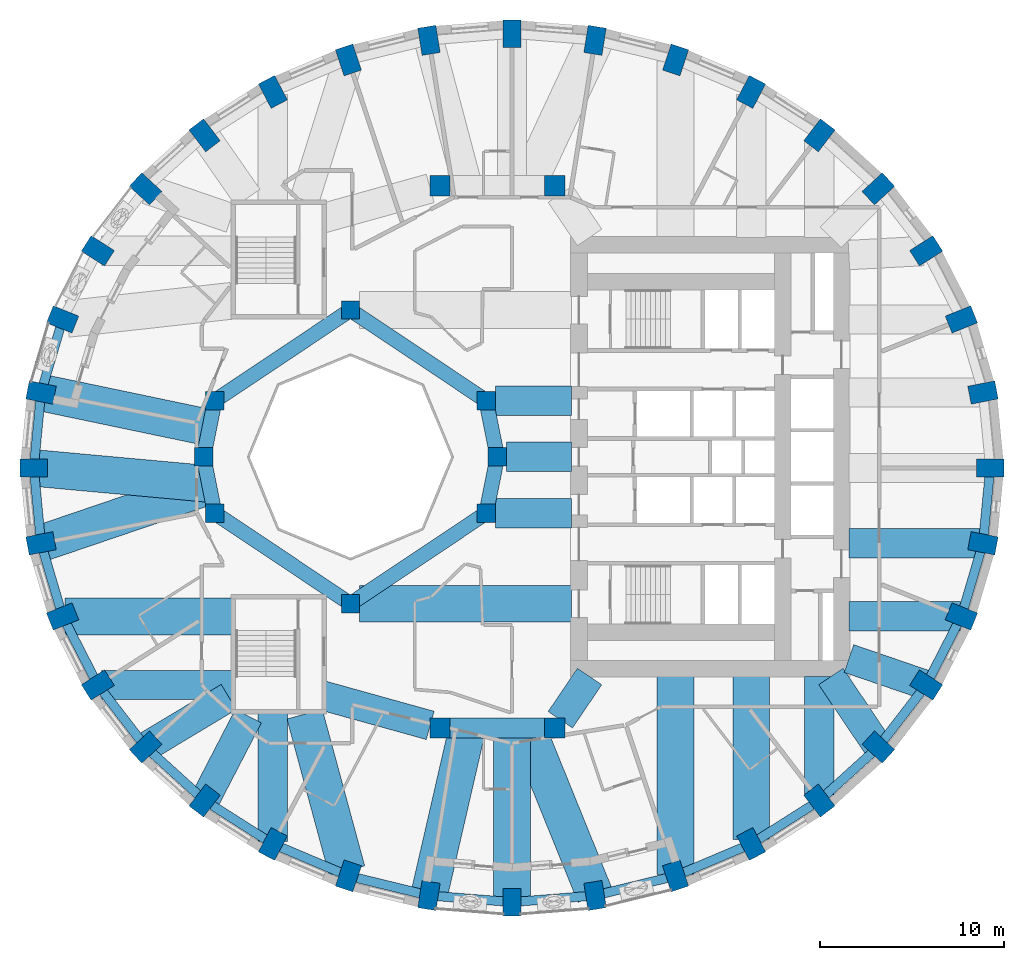
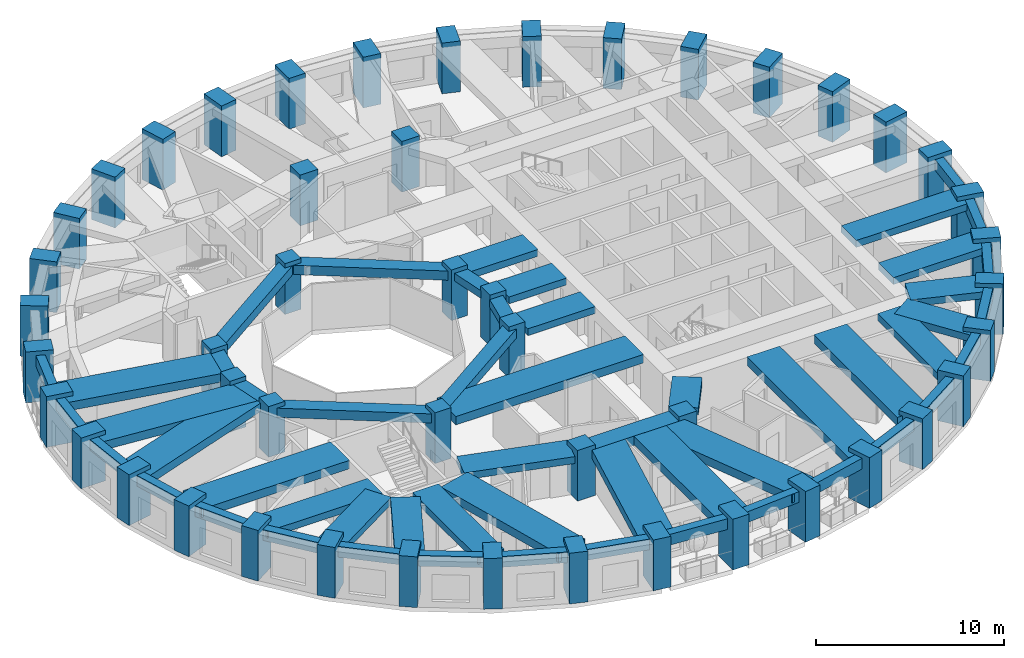
# One storey, part 1 of 13: 54 beams, 48 columns.
"""IFC4 building model written with IfcOpenShell, lengths in metres."""

from ifc_helpers import new_model, si_unit, direction, frame, origin, origin_2d, place, context, subcontext, project, spatial, rectangle, extrude, material, material_profile, profile_set, type_object, element, save


model = new_model("IFC4")

# Units and contexts
model_context = context("Model", 3, precision=1e-05, world=origin(), true_north=direction((0.0, 1.0)))
body_context = subcontext(model_context, "Body", "Model", "MODEL_VIEW")
ifc_project = project(units=[si_unit("LENGTHUNIT", "METRE"), si_unit("AREAUNIT", "SQUARE_METRE"), si_unit("VOLUMEUNIT", "CUBIC_METRE"), si_unit("PLANEANGLEUNIT", "RADIAN"), si_unit("MASSUNIT", "GRAM", prefix="KILO")], contexts=[model_context])

# Site, building, storey
site_placement = place(None, origin())
site = spatial("IfcSite", under=ifc_project, at=site_placement, CompositionType="ELEMENT")
building_placement = place(site_placement, origin())
building = spatial("IfcBuilding", under=site, at=building_placement, Name="Taillehof Tower", CompositionType="ELEMENT")
storey_placement = place(building_placement, frame((0.0, 0.0, 115.300048828125)))
storey = spatial("IfcBuildingStorey", under=building, at=storey_placement, Name="L32", CompositionType="ELEMENT", Elevation=115.300048828125)

# Columns
ifc_material_1 = material(Name="Concrete C50/60", Category="concrete")
ifc_material_profile_1 = material_profile(ifc_material_1, rectangle(XDim=1.0, YDim=1.0, at=origin_2d()), Name="RC 1000x1000")
ifc_profile_set_1 = profile_set([ifc_material_profile_1], Name="Concrete C50/60")
column_type_1 = type_object("IfcColumnType", Name="Atrium ring column C50/60 1000x1000", PredefinedType="COLUMN", material=ifc_profile_set_1)
for number, where, z_axis, x_axis, name in (
    (1, (0.0, 0.0, 0.0), (0.0, 0.0, 1.0), (1.0, 0.0, 0.0), "Column AC01"),
    (2, (-0.60888671875, 3.0615234375, 0.0), (0.0, 0.0, 1.0), (1.0, 0.0, 0.0), "Column AC02"),
    (3, (-8.0, 8.0, 0.0), (0.0, 0.0, 1.0), (1.0, 0.0, 0.0), "Column AC05"),
    (4, (-15.39111328125, 3.0615234375, 0.0), (0.0, 0.0, 1.0), (1.0, 0.0, 0.0), "Column AC08"),
    (5, (-16.0, 0.0, 0.0), (0.0, 0.0, 1.0), (1.0, 0.0, 0.0), "Column AC09"),
    (6, (-15.39111328125, -3.0615234375, 0.0), (0.0, 0.0, 1.0), (1.0, 0.0, 0.0), "Column AC10"),
    (7, (-8.0, -8.0, 0.0), (0.0, 0.0, 1.0), (1.0, 0.0, 0.0), "Column AC13"),
    (8, (-0.60888671875, -3.0615234375, 0.0), (0.0, 0.0, 1.0), (1.0, 0.0, 0.0), "Column AC16"),
):
    element("IfcColumn", number, at=place(storey_placement, frame(where, z_axis=z_axis, x_axis=x_axis)), inside=storey, type_object=column_type_1, Name=name, PredefinedType="COLUMN", context=body_context, shape_type="SweptSolid", body=[
        extrude(rectangle(XDim=1.0, YDim=1.0, at=origin_2d()), origin(), (0.0, 0.0, 1.0), 3.300048828125),
    ])
ifc_material_2 = material(Name="Concrete C50/60", Category="concrete")
ifc_material_profile_2 = material_profile(ifc_material_2, rectangle(XDim=1.10009765625, YDim=1.10009765625, at=origin_2d()), Name="RC 1100x1100")
ifc_profile_set_2 = profile_set([ifc_material_profile_2], Name="Concrete C50/60")
column_type_2 = type_object("IfcColumnType", Name="Mid-ring column C50/60 1100x1100", PredefinedType="COLUMN", material=ifc_profile_set_2)
for number, where, z_axis, x_axis, name in (
    (9, (3.125732421875, 14.772216796875, 0.0), (0.0, 0.0, 1.0), (1.0, 0.0, 0.0), "Column MC05"),
    (10, (-3.125732421875, 14.772216796875, 0.0), (0.0, 0.0, 1.0), (1.0, 0.0, 0.0), "Column MC06"),
    (11, (-3.125732421875, -14.772216796875, 0.0), (0.0, 0.0, 1.0), (1.0, 0.0, 0.0), "Column MC14"),
    (12, (3.125732421875, -14.772216796875, 0.0), (0.0, 0.0, 1.0), (1.0, 0.0, 0.0), "Column MC15"),
):
    element("IfcColumn", number, at=place(storey_placement, frame(where, z_axis=z_axis, x_axis=x_axis)), inside=storey, type_object=column_type_2, Name=name, PredefinedType="COLUMN", context=body_context, shape_type="SweptSolid", body=[
        extrude(rectangle(XDim=1.10009765625, YDim=1.10009765625, at=origin_2d()), origin(), (0.0, 0.0, 1.0), 3.300048828125),
    ])
ifc_material_3 = material(Name="Concrete C70/85", Category="concrete")
ifc_material_profile_3 = material_profile(ifc_material_3, rectangle(XDim=1.5, YDim=1.0, at=origin_2d()), Name="RC 1500x1000")
ifc_profile_set_3 = profile_set([ifc_material_profile_3], Name="Concrete C70/85")
column_type_3 = type_object("IfcColumnType", Name="Ring column C70/85 1500x1000", PredefinedType="COLUMN", material=ifc_profile_set_3)
for number, where, z_axis, x_axis, name in (
    (13, (26.85009765625, -0.60009765625, 0.0), (0.0, 0.0, 1.0), (1.0, 0.0, 0.0), "Ring column RC01"),
    (14, (26.454345703125, 3.5068359375, 0.0), (0.0, 0.0, 1.0), (0.981757466121, 0.190137523166, 0.0), "Ring column RC02"),
    (15, (25.279052734375, 7.48876953125, 0.0), (0.0, 0.0, 1.0), (0.928550110352, 0.371207075048, 0.0), "Ring column RC03"),
    (16, (23.35986328125, 11.22509765625, 0.0), (0.0, 0.0, 1.0), (0.844511454562, 0.535537489923, 0.0), "Ring column RC04"),
    (17, (20.75537109375, 14.60205078125, 0.0), (0.0, 0.0, 1.0), (0.735332034083, 0.677707016085, 0.0), "Ring column RC05"),
    (18, (17.544677734375, 17.516845703125, 0.0), (0.0, 0.0, 1.0), (0.607074228939, 0.794645128694, 0.0), "Ring column RC06"),
    (19, (13.824951171875, 19.881591796875, 0.0), (0.0, 0.0, 1.0), (0.465283017627, 0.885161970211, 0.0), "Ring column RC07"),
    (20, (9.709716796875, 21.623779296875, 0.0), (0.0, 0.0, 1.0), (0.314554972703, 0.949239258116, 0.0), "Ring column RC08"),
    (21, (5.323486328125, 22.690673828125, 0.0), (0.0, 0.0, 1.0), (0.158507038215, 0.987357847407, 0.0), "Ring column RC09"),
    (22, (0.800048828125, 23.050048828125, 0.0), (0.0, 0.0, 1.0), (0.0, 1.0, 0.0), "Ring column RC10"),
    (23, (-3.7236328125, 22.690673828125, 0.0), (0.0, 0.0, 1.0), (-0.158507038215, 0.987357847407, 0.0), "Ring column RC11"),
    (24, (-8.109619140625, 21.623779296875, 0.0), (0.0, 0.0, 1.0), (-0.314554972703, 0.949239258116, 0.0), "Ring column RC12"),
    (25, (-12.22509765625, 19.881591796875, 0.0), (0.0, 0.0, 1.0), (-0.465283017627, 0.885161970211, 0.0), "Ring column RC13"),
    (26, (-15.944580078125, 17.516845703125, 0.0), (0.0, 0.0, 1.0), (-0.607074228939, 0.794645128694, 0.0), "Ring column RC14"),
    (27, (-19.155517578125, 14.60205078125, 0.0), (0.0, 0.0, 1.0), (-0.735332034083, 0.677707016085, 0.0), "Ring column RC15"),
    (28, (-21.760009765625, 11.22509765625, 0.0), (0.0, 0.0, 1.0), (-0.844511454562, 0.535537489923, 0.0), "Ring column RC16"),
    (29, (-23.678955078125, 7.48876953125, 0.0), (0.0, 0.0, 1.0), (-0.928550110352, 0.371207075048, 0.0), "Ring column RC17"),
    (30, (-24.854248046875, 3.5068359375, 0.0), (0.0, 0.0, 1.0), (-0.981757466121, 0.190137523166, 0.0), "Ring column RC18"),
    (31, (-25.25, -0.60009765625, 0.0), (0.0, 0.0, 1.0), (-1.0, 0.0, 0.0), "Ring column RC19"),
    (32, (-24.854248046875, -4.706787109375, 0.0), (0.0, 0.0, 1.0), (-0.981757466121, -0.190137523166, 0.0), "Ring column RC20"),
    (33, (-23.678955078125, -8.688720703125, 0.0), (0.0, 0.0, 1.0), (-0.928550110352, -0.371207075048, 0.0), "Ring column RC21"),
    (34, (-21.760009765625, -12.425048828125, 0.0), (0.0, 0.0, 1.0), (-0.844511454562, -0.535537489923, 0.0), "Ring column RC22"),
    (35, (-19.155517578125, -15.802001953125, 0.0), (0.0, 0.0, 1.0), (-0.735332034083, -0.677707016085, 0.0), "Ring column RC23"),
    (36, (-15.944580078125, -18.717041015625, 0.0), (0.0, 0.0, 1.0), (-0.607074228939, -0.794645128694, 0.0), "Ring column RC24"),
    (37, (-12.22509765625, -21.08154296875, 0.0), (0.0, 0.0, 1.0), (-0.465283017627, -0.885161970211, 0.0), "Ring column RC25"),
    (38, (-8.109619140625, -22.82373046875, 0.0), (0.0, 0.0, 1.0), (-0.314554972703, -0.949239258116, 0.0), "Ring column RC26"),
    (39, (-3.7236328125, -23.890625, 0.0), (0.0, 0.0, 1.0), (-0.158507038215, -0.987357847407, 0.0), "Ring column RC27"),
    (40, (0.800048828125, -24.25, 0.0), (0.0, 0.0, 1.0), (0.0, -1.0, 0.0), "Ring column RC28"),
    (41, (5.323486328125, -23.890625, 0.0), (0.0, 0.0, 1.0), (0.158507038215, -0.987357847407, 0.0), "Ring column RC29"),
    (42, (9.709716796875, -22.82373046875, 0.0), (0.0, 0.0, 1.0), (0.314554972703, -0.949239258116, 0.0), "Ring column RC30"),
    (43, (13.824951171875, -21.08154296875, 0.0), (0.0, 0.0, 1.0), (0.465283017627, -0.885161970211, 0.0), "Ring column RC31"),
    (44, (17.544677734375, -18.717041015625, 0.0), (0.0, 0.0, 1.0), (0.607074228939, -0.794645128694, 0.0), "Ring column RC32"),
    (45, (20.75537109375, -15.802001953125, 0.0), (0.0, 0.0, 1.0), (0.735332034083, -0.677707016085, 0.0), "Ring column RC33"),
    (46, (23.35986328125, -12.425048828125, 0.0), (0.0, 0.0, 1.0), (0.844511454562, -0.535537489923, 0.0), "Ring column RC34"),
    (47, (25.279052734375, -8.688720703125, 0.0), (0.0, 0.0, 1.0), (0.928550110352, -0.371207075048, 0.0), "Ring column RC35"),
    (48, (26.454345703125, -4.706787109375, 0.0), (0.0, 0.0, 1.0), (0.981757466121, -0.190137523166, 0.0), "Ring column RC36"),
):
    element("IfcColumn", number, at=place(storey_placement, frame(where, z_axis=z_axis, x_axis=x_axis)), inside=storey, type_object=column_type_3, Name=name, PredefinedType="COLUMN", context=body_context, shape_type="SweptSolid", body=[
        extrude(rectangle(XDim=1.5, YDim=1.0, at=origin_2d()), origin(), (0.0, 0.0, 1.0), 3.300048828125),
    ])

# Beams
ifc_material_4 = material(Name="Concrete C50/60", Category="concrete")
ifc_material_profile_4 = material_profile(ifc_material_4, rectangle(XDim=0.800048828125, YDim=0.5, at=origin_2d()), Name="RC 800x500")
ifc_profile_set_4 = profile_set([ifc_material_profile_4], Name="Concrete C50/60")
beam_type_1 = type_object("IfcBeamType", Name="Atrium ring beam C50/60 800x500", PredefinedType="BEAM", material=ifc_profile_set_4)
for number, where, z_axis, x_axis, name in (
    (49, (0.0, 0.0, 2.77001953125), (-0.195063155143, 0.980790683839, 0.0), (-0.980790683839, -0.195063155143, 0.0), "Atrium ring beam AB01"),
    (50, (-15.39111328125, 3.0615234375, 2.77001953125), (-0.195063155143, -0.980790683839, 0.0), (0.980790683839, -0.195063155143, 0.0), "Atrium ring beam AB04"),
    (51, (-16.0, 0.0, 2.77001953125), (0.195063155143, -0.980790683839, 0.0), (0.980790683839, 0.195063155143, 0.0), "Atrium ring beam AB05"),
    (52, (-0.60888671875, -3.0615234375, 2.77001953125), (0.195063155143, 0.980790683839, 0.0), (-0.980790683839, 0.195063155143, 0.0), "Atrium ring beam AB08"),
):
    element("IfcBeam", number, at=place(storey_placement, frame(where, z_axis=z_axis, x_axis=x_axis)), inside=storey, type_object=beam_type_1, Name=name, PredefinedType="BEAM", context=body_context, shape_type="SweptSolid", body=[
        extrude(rectangle(XDim=0.800048828125, YDim=0.5, at=origin_2d()), origin(), (0.0, 0.0, 1.0), 3.12158203125),
    ])
ifc_material_5 = material(Name="Concrete C50/60", Category="concrete")
ifc_material_profile_5 = material_profile(ifc_material_5, rectangle(XDim=0.800048828125, YDim=0.60009765625, at=origin_2d()), Name="RC 800x600")
ifc_profile_set_5 = profile_set([ifc_material_profile_5], Name="Concrete C50/60")
beam_type_2 = type_object("IfcBeamType", Name="Atrium ring beam C50/60 800x600", PredefinedType="BEAM", material=ifc_profile_set_5)
for number, where, z_axis, x_axis, name in (
    (53, (-0.60888671875, 3.0615234375, 2.719970703125), (-0.831475195687, 0.555561876804, 0.0), (-0.555561876804, -0.831475195687, 0.0), "Atrium ring beam AB02"),
    (54, (-8.0, 8.0, 2.719970703125), (-0.831475195687, -0.555561876804, 0.0), (0.555561876804, -0.831475195687, 0.0), "Atrium ring beam AB03"),
    (55, (-15.39111328125, -3.0615234375, 2.719970703125), (0.831475195687, -0.555561876804, 0.0), (0.555561876804, 0.831475195687, 0.0), "Atrium ring beam AB06"),
    (56, (-8.0, -8.0, 2.719970703125), (0.831475195687, 0.555561876804, 0.0), (-0.555561876804, 0.831475195687, 0.0), "Atrium ring beam AB07"),
):
    element("IfcBeam", number, at=place(storey_placement, frame(where, z_axis=z_axis, x_axis=x_axis)), inside=storey, type_object=beam_type_2, Name=name, PredefinedType="BEAM", context=body_context, shape_type="SweptSolid", body=[
        extrude(rectangle(XDim=0.800048828125, YDim=0.60009765625, at=origin_2d()), origin(), (0.0, 0.0, 1.0), 8.88916015625),
    ])
ifc_material_6 = material(Name="Concrete C50/60", Category="concrete")
ifc_material_profile_6 = material_profile(ifc_material_6, rectangle(XDim=1.10009765625, YDim=0.60009765625, at=origin_2d()), Name="RC 1100x600")
ifc_profile_set_6 = profile_set([ifc_material_profile_6], Name="Concrete C50/60")
beam_type_3 = type_object("IfcBeamType", Name="Mid-ring beam C50/60 1100x600", PredefinedType="BEAM", material=ifc_profile_set_6)
beam_1_placement = place(storey_placement, frame((-3.125732421875, -14.772216796875, 2.719970703125), z_axis=(1.0, 0.0, 0.0), x_axis=(0.0, 1.0, 0.0)))
element("IfcBeam", 57, at=beam_1_placement, inside=storey, type_object=beam_type_3, Name="Mid-ring beam MB02", PredefinedType="BEAM", context=body_context, shape_type="SweptSolid", body=[
    extrude(rectangle(XDim=1.10009765625, YDim=0.60009765625, at=origin_2d()), origin(), (0.0, 0.0, 1.0), 6.25146484375),
])
ifc_material_7 = material(Name="Concrete C50/60", Category="concrete")
ifc_material_profile_7 = material_profile(ifc_material_7, rectangle(XDim=1.60009765625, YDim=0.449951171875, at=origin_2d()), Name="RC 1600x450")
ifc_profile_set_7 = profile_set([ifc_material_profile_7], Name="Concrete C50/60")
beam_type_4 = type_object("IfcBeamType", Name="Radial band beam C50/60 1600x450", PredefinedType="BEAM", material=ifc_profile_set_7)
beam_2_placement = place(storey_placement, frame((-21.54736328125, -12.425048828125, 2.794921875), z_axis=(1.0, 0.0, 0.0), x_axis=(0.0, 1.0, 0.0)))
element("IfcBeam", 58, at=beam_2_placement, inside=storey, type_object=beam_type_4, Name="Radial band beam RB22", PredefinedType="BEAM", context=body_context, shape_type="SweptSolid", body=[
    extrude(rectangle(XDim=1.60009765625, YDim=0.449951171875, at=origin_2d()), origin(), (0.0, 0.0, 1.0), 7.097412109375),
])
beam_3_placement = place(storey_placement, frame((-19.155517578125, -15.802001953125, 2.794921875), z_axis=(0.856794973818, 0.515657224171, 0.0), x_axis=(-0.515657224171, 0.856794973818, 0.0)))
element("IfcBeam", 59, at=beam_3_placement, inside=storey, type_object=beam_type_4, Name="Radial band beam RB23", PredefinedType="BEAM", context=body_context, shape_type="SweptSolid", body=[
    extrude(rectangle(XDim=1.60009765625, YDim=0.449951171875, at=origin_2d()), origin(), (0.0, 0.0, 1.0), 5.28369140625),
])
beam_4_placement = place(storey_placement, frame((-15.944580078125, -18.717041015625, 2.794921875), z_axis=(0.460119038647, 0.8878572353, 0.0), x_axis=(-0.8878572353, 0.460119038647, 0.0)))
element("IfcBeam", 60, at=beam_4_placement, inside=storey, type_object=beam_type_4, Name="Radial band beam RB24", PredefinedType="BEAM", context=body_context, shape_type="SweptSolid", body=[
    extrude(rectangle(XDim=1.60009765625, YDim=0.449951171875, at=origin_2d()), origin(), (0.0, 0.0, 1.0), 5.1796875),
])
beam_5_placement = place(storey_placement, frame((-12.22509765625, -20.9443359375, 2.794921875), z_axis=(0.0, 1.0, 0.0), x_axis=(-1.0, 0.0, 0.0)))
element("IfcBeam", 61, at=beam_5_placement, inside=storey, type_object=beam_type_4, Name="Radial band beam RB25", PredefinedType="BEAM", context=body_context, shape_type="SweptSolid", body=[
    extrude(rectangle(XDim=1.60009765625, YDim=0.449951171875, at=origin_2d()), origin(), (0.0, 0.0, 1.0), 6.994384765625),
])
beam_6_placement = place(storey_placement, frame((17.544677734375, -18.421875, 2.794921875), z_axis=(0.0, 1.0, 0.0), x_axis=(-1.0, 0.0, 0.0)))
element("IfcBeam", 62, at=beam_6_placement, inside=storey, type_object=beam_type_4, Name="Radial band beam RB32", PredefinedType="BEAM", context=body_context, shape_type="SweptSolid", body=[
    extrude(rectangle(XDim=1.60009765625, YDim=0.449951171875, at=origin_2d()), origin(), (0.0, 0.0, 1.0), 6.471923828125),
])
beam_7_placement = place(storey_placement, frame((20.75537109375, -15.802001953125, 2.794921875), z_axis=(-0.557822939952, 0.829959979555, 0.0), x_axis=(-0.829959979555, -0.557822939952, 0.0)))
element("IfcBeam", 63, at=beam_7_placement, inside=storey, type_object=beam_type_4, Name="Radial band beam RB33", PredefinedType="BEAM", context=body_context, shape_type="SweptSolid", body=[
    extrude(rectangle(XDim=1.60009765625, YDim=0.449951171875, at=origin_2d()), origin(), (0.0, 0.0, 1.0), 4.630859375),
])
beam_8_placement = place(storey_placement, frame((23.35986328125, -12.425048828125, 2.794921875), z_axis=(-0.946037817118, 0.324056242932, 0.0), x_axis=(-0.324056242932, -0.946037817118, 0.0)))
element("IfcBeam", 64, at=beam_8_placement, inside=storey, type_object=beam_type_4, Name="Radial band beam RB34", PredefinedType="BEAM", context=body_context, shape_type="SweptSolid", body=[
    extrude(rectangle(XDim=1.60009765625, YDim=0.449951171875, at=origin_2d()), origin(), (0.0, 0.0, 1.0), 4.447265625),
])
beam_9_placement = place(storey_placement, frame((25.2275390625, -8.688720703125, 2.794921875), z_axis=(-1.0, 0.0, 0.0), x_axis=(0.0, -1.0, 0.0)))
element("IfcBeam", 65, at=beam_9_placement, inside=storey, type_object=beam_type_4, Name="Radial band beam RB35", PredefinedType="BEAM", context=body_context, shape_type="SweptSolid", body=[
    extrude(rectangle(XDim=1.60009765625, YDim=0.449951171875, at=origin_2d()), origin(), (0.0, 0.0, 1.0), 6.07763671875),
])
beam_10_placement = place(storey_placement, frame((26.454345703125, -4.706787109375, 2.794921875), z_axis=(-1.0, 0.0, 0.0), x_axis=(0.0, -1.0, 0.0)))
element("IfcBeam", 66, at=beam_10_placement, inside=storey, type_object=beam_type_4, Name="Radial band beam RB36", PredefinedType="BEAM", context=body_context, shape_type="SweptSolid", body=[
    extrude(rectangle(XDim=1.60009765625, YDim=0.449951171875, at=origin_2d()), origin(), (0.0, 0.0, 1.0), 7.304443359375),
])
beam_11_placement = place(storey_placement, frame((0.5, 0.0, 2.794921875), z_axis=(1.0, 0.0, 0.0), x_axis=(0.0, 1.0, 0.0)))
element("IfcBeam", 67, at=beam_11_placement, inside=storey, type_object=beam_type_4, Name="Inner band beam IB101", PredefinedType="BEAM", context=body_context, shape_type="SweptSolid", body=[
    extrude(rectangle(XDim=1.60009765625, YDim=0.449951171875, at=origin_2d()), origin(), (0.0, 0.0, 1.0), 3.550048828125),
])
for number, where, z_axis, x_axis, name in (
    (68, (-0.10888671875, 3.0615234375, 2.794921875), (1.0, 0.0, 0.0), (0.0, 1.0, 0.0), "Inner band beam IB102"),
    (69, (-0.10888671875, -3.0615234375, 2.794921875), (1.0, 0.0, 0.0), (0.0, 1.0, 0.0), "Inner band beam IB116"),
):
    element("IfcBeam", number, at=place(storey_placement, frame(where, z_axis=z_axis, x_axis=x_axis)), inside=storey, type_object=beam_type_4, Name=name, PredefinedType="BEAM", context=body_context, shape_type="SweptSolid", body=[
        extrude(rectangle(XDim=1.60009765625, YDim=0.449951171875, at=origin_2d()), origin(), (0.0, 0.0, 1.0), 4.158935546875),
    ])
beam_12_placement = place(storey_placement, frame((-3.655517578125, -14.624755859375, 2.794921875), z_axis=(-0.963459369536, 0.267854518821, 0.0), x_axis=(-0.267854518821, -0.963459369536, 0.0)))
element("IfcBeam", 70, at=beam_12_placement, inside=storey, type_object=beam_type_4, Name="Inner band beam IB214", PredefinedType="BEAM", context=body_context, shape_type="SweptSolid", body=[
    extrude(rectangle(XDim=1.60009765625, YDim=0.449951171875, at=origin_2d()), origin(), (0.0, 0.0, 1.0), 6.096923828125),
])
beam_13_placement = place(storey_placement, frame((3.433837890625, -14.31640625, 2.794921875), z_axis=(0.560112043398, 0.828416862962, 0.0), x_axis=(-0.828416862962, 0.560112043398, 0.0)))
element("IfcBeam", 71, at=beam_13_placement, inside=storey, type_object=beam_type_4, Name="Inner band beam IB215", PredefinedType="BEAM", context=body_context, shape_type="SweptSolid", body=[
    extrude(rectangle(XDim=1.60009765625, YDim=0.449951171875, at=origin_2d()), origin(), (0.0, 0.0, 1.0), 2.84619140625),
])
ifc_material_8 = material(Name="Concrete C50/60", Category="concrete")
ifc_material_profile_8 = material_profile(ifc_material_8, rectangle(XDim=2.0, YDim=0.550048828125, at=origin_2d()), Name="RC 2000x550")
ifc_profile_set_8 = profile_set([ifc_material_profile_8], Name="Concrete C50/60")
beam_type_5 = type_object("IfcBeamType", Name="Radial band beam C50/60 2000x550", PredefinedType="BEAM", material=ifc_profile_set_8)
beam_14_placement = place(storey_placement, frame((-24.854248046875, 3.5068359375, 2.744873046875), z_axis=(0.978853404319, -0.204562980164, 0.0), x_axis=(0.204562980164, 0.978853404319, 0.0)))
element("IfcBeam", 72, at=beam_14_placement, inside=storey, type_object=beam_type_5, Name="Radial band beam RB18", PredefinedType="BEAM", context=body_context, shape_type="SweptSolid", body=[
    extrude(rectangle(XDim=2.0, YDim=0.550048828125, at=origin_2d()), origin(), (0.0, 0.0, 1.0), 9.36865234375),
])
beam_15_placement = place(storey_placement, frame((-25.25, -0.60009765625, 2.744873046875), z_axis=(0.995859515154, -0.090905588816, 0.0), x_axis=(0.090905588816, 0.995859515154, 0.0)))
element("IfcBeam", 73, at=beam_15_placement, inside=storey, type_object=beam_type_5, Name="Radial band beam RB19", PredefinedType="BEAM", context=body_context, shape_type="SweptSolid", body=[
    extrude(rectangle(XDim=2.0, YDim=0.550048828125, at=origin_2d()), origin(), (0.0, 0.0, 1.0), 9.58251953125),
])
beam_16_placement = place(storey_placement, frame((-24.854248046875, -4.706787109375, 2.744873046875), z_axis=(0.946822052625, 0.321757673822, 0.0), x_axis=(-0.321757673822, 0.946822052625, 0.0)))
element("IfcBeam", 74, at=beam_16_placement, inside=storey, type_object=beam_type_5, Name="Radial band beam RB20", PredefinedType="BEAM", context=body_context, shape_type="SweptSolid", body=[
    extrude(rectangle(XDim=2.0, YDim=0.550048828125, at=origin_2d()), origin(), (0.0, 0.0, 1.0), 9.685791015625),
])
beam_17_placement = place(storey_placement, frame((-23.54736328125, -8.688720703125, 2.744873046875), z_axis=(1.0, 0.0, 0.0), x_axis=(0.0, 1.0, 0.0)))
element("IfcBeam", 75, at=beam_17_placement, inside=storey, type_object=beam_type_5, Name="Radial band beam RB21", PredefinedType="BEAM", context=body_context, shape_type="SweptSolid", body=[
    extrude(rectangle(XDim=2.0, YDim=0.550048828125, at=origin_2d()), origin(), (0.0, 0.0, 1.0), 9.097412109375),
])
beam_18_placement = place(storey_placement, frame((-8.186767578125, -22.539306640625, 2.744873046875), z_axis=(-0.261461600872, 0.965213878511, 0.0), x_axis=(-0.965213878511, -0.261461600872, 0.0)))
element("IfcBeam", 76, at=beam_18_placement, inside=storey, type_object=beam_type_5, Name="Radial band beam RB26", PredefinedType="BEAM", context=body_context, shape_type="SweptSolid", body=[
    extrude(rectangle(XDim=2.0, YDim=0.550048828125, at=origin_2d()), origin(), (0.0, 0.0, 1.0), 8.835205078125),
])
beam_19_placement = place(storey_placement, frame((-3.7236328125, -23.890625, 2.744873046875), z_axis=(0.224215346781, 0.974539623755, 0.0), x_axis=(-0.974539623755, 0.224215346781, 0.0)))
element("IfcBeam", 77, at=beam_19_placement, inside=storey, type_object=beam_type_5, Name="Radial band beam RB27", PredefinedType="BEAM", context=body_context, shape_type="SweptSolid", body=[
    extrude(rectangle(XDim=2.0, YDim=0.550048828125, at=origin_2d()), origin(), (0.0, 0.0, 1.0), 9.356689453125),
])
beam_20_placement = place(storey_placement, frame((0.800048828125, -24.25, 2.744873046875), z_axis=(0.0, 1.0, 0.0), x_axis=(-1.0, 0.0, 0.0)))
element("IfcBeam", 78, at=beam_20_placement, inside=storey, type_object=beam_type_5, Name="Radial band beam RB28", PredefinedType="BEAM", context=body_context, shape_type="SweptSolid", body=[
    extrude(rectangle(XDim=2.0, YDim=0.550048828125, at=origin_2d()), origin(), (0.0, 0.0, 1.0), 9.477783203125),
])
beam_21_placement = place(storey_placement, frame((5.323486328125, -23.890625, 2.744873046875), z_axis=(-0.375801287916, 0.926700270854, 0.0), x_axis=(-0.926700270854, -0.375801287916, 0.0)))
element("IfcBeam", 79, at=beam_21_placement, inside=storey, type_object=beam_type_5, Name="Radial band beam RB29", PredefinedType="BEAM", context=body_context, shape_type="SweptSolid", body=[
    extrude(rectangle(XDim=2.0, YDim=0.550048828125, at=origin_2d()), origin(), (0.0, 0.0, 1.0), 9.839599609375),
])
beam_22_placement = place(storey_placement, frame((9.709716796875, -22.756591796875, 2.744873046875), z_axis=(0.0, 1.0, 0.0), x_axis=(-1.0, 0.0, 0.0)))
element("IfcBeam", 80, at=beam_22_placement, inside=storey, type_object=beam_type_5, Name="Radial band beam RB30", PredefinedType="BEAM", context=body_context, shape_type="SweptSolid", body=[
    extrude(rectangle(XDim=2.0, YDim=0.550048828125, at=origin_2d()), origin(), (0.0, 0.0, 1.0), 10.806640625),
])
beam_23_placement = place(storey_placement, frame((13.824951171875, -20.839599609375, 2.744873046875), z_axis=(0.0, 1.0, 0.0), x_axis=(-1.0, 0.0, 0.0)))
element("IfcBeam", 81, at=beam_23_placement, inside=storey, type_object=beam_type_5, Name="Radial band beam RB31", PredefinedType="BEAM", context=body_context, shape_type="SweptSolid", body=[
    extrude(rectangle(XDim=2.0, YDim=0.550048828125, at=origin_2d()), origin(), (0.0, 0.0, 1.0), 8.8896484375),
])
beam_24_placement = place(storey_placement, frame((-7.5, -8.0, 2.744873046875), z_axis=(1.0, 0.0, 0.0), x_axis=(0.0, 1.0, 0.0)))
element("IfcBeam", 82, at=beam_24_placement, inside=storey, type_object=beam_type_5, Name="Inner band beam IB113", PredefinedType="BEAM", context=body_context, shape_type="SweptSolid", body=[
    extrude(rectangle(XDim=2.0, YDim=0.550048828125, at=origin_2d()), origin(), (0.0, 0.0, 1.0), 11.550048828125),
])
ifc_material_9 = material(Name="Concrete C50/60", Category="concrete")
ifc_material_profile_9 = material_profile(ifc_material_9, rectangle(XDim=0.5, YDim=0.699951171875, at=origin_2d()), Name="RC 500x700")
ifc_profile_set_9 = profile_set([ifc_material_profile_9], Name="Concrete C50/60")
beam_type_6 = type_object("IfcBeamType", Name="Spandrel beam C50/60 500x700", PredefinedType="SPANDREL", material=ifc_profile_set_9)
beam_25_placement = place(storey_placement, frame((-23.678955078125, 7.48876953125, 2.669921875), z_axis=(-0.28308309012, -0.95909538842, 0.0), x_axis=(0.95909538842, -0.28308309012, 0.0)))
element("IfcBeam", 83, at=beam_25_placement, inside=storey, type_object=beam_type_6, Name="Spandrel beam SB17", PredefinedType="SPANDREL", context=body_context, shape_type="SweptSolid", body=[
    extrude(rectangle(XDim=0.5, YDim=0.699951171875, at=origin_2d()), origin(), (0.0, 0.0, 1.0), 4.15185546875),
])
beam_26_placement = place(storey_placement, frame((-24.854248046875, 3.5068359375, 2.669921875), z_axis=(-0.095917608943, -0.995389276763, 0.0), x_axis=(0.995389276763, -0.095917608943, 0.0)))
element("IfcBeam", 84, at=beam_26_placement, inside=storey, type_object=beam_type_6, Name="Spandrel beam SB18", PredefinedType="SPANDREL", context=body_context, shape_type="SweptSolid", body=[
    extrude(rectangle(XDim=0.5, YDim=0.699951171875, at=origin_2d()), origin(), (0.0, 0.0, 1.0), 4.1259765625),
])
beam_27_placement = place(storey_placement, frame((-25.25, -0.60009765625, 2.669921875), z_axis=(0.09592325873, -0.995388732323, 0.0), x_axis=(0.995388732323, 0.09592325873, 0.0)))
element("IfcBeam", 85, at=beam_27_placement, inside=storey, type_object=beam_type_6, Name="Spandrel beam SB19", PredefinedType="SPANDREL", context=body_context, shape_type="SweptSolid", body=[
    extrude(rectangle(XDim=0.5, YDim=0.699951171875, at=origin_2d()), origin(), (0.0, 0.0, 1.0), 4.125732421875),
])
beam_28_placement = place(storey_placement, frame((-24.854248046875, -4.706787109375, 2.669921875), z_axis=(0.28308309012, -0.95909538842, 0.0), x_axis=(0.95909538842, 0.28308309012, 0.0)))
element("IfcBeam", 86, at=beam_28_placement, inside=storey, type_object=beam_type_6, Name="Spandrel beam SB20", PredefinedType="SPANDREL", context=body_context, shape_type="SweptSolid", body=[
    extrude(rectangle(XDim=0.5, YDim=0.699951171875, at=origin_2d()), origin(), (0.0, 0.0, 1.0), 4.15185546875),
])
beam_29_placement = place(storey_placement, frame((-23.678955078125, -8.688720703125, 2.669921875), z_axis=(0.456859381733, -0.889538928503, 0.0), x_axis=(0.889538928503, 0.456859381733, 0.0)))
element("IfcBeam", 87, at=beam_29_placement, inside=storey, type_object=beam_type_6, Name="Spandrel beam SB21", PredefinedType="SPANDREL", context=body_context, shape_type="SweptSolid", body=[
    extrude(rectangle(XDim=0.5, YDim=0.699951171875, at=origin_2d()), origin(), (0.0, 0.0, 1.0), 4.2001953125),
])
beam_30_placement = place(storey_placement, frame((-21.760009765625, -12.425048828125, 2.669921875), z_axis=(0.61071731561, -0.79184869793, 0.0), x_axis=(0.79184869793, 0.61071731561, 0.0)))
element("IfcBeam", 88, at=beam_30_placement, inside=storey, type_object=beam_type_6, Name="Spandrel beam SB22", PredefinedType="SPANDREL", context=body_context, shape_type="SweptSolid", body=[
    extrude(rectangle(XDim=0.5, YDim=0.699951171875, at=origin_2d()), origin(), (0.0, 0.0, 1.0), 4.2646484375),
])
beam_31_placement = place(storey_placement, frame((-19.155517578125, -15.802001953125, 2.669921875), z_axis=(0.740398416885, -0.672168270803, 0.0), x_axis=(0.672168270803, 0.740398416885, 0.0)))
element("IfcBeam", 89, at=beam_31_placement, inside=storey, type_object=beam_type_6, Name="Spandrel beam SB23", PredefinedType="SPANDREL", context=body_context, shape_type="SweptSolid", body=[
    extrude(rectangle(XDim=0.5, YDim=0.699951171875, at=origin_2d()), origin(), (0.0, 0.0, 1.0), 4.336669921875),
])
beam_32_placement = place(storey_placement, frame((-15.944580078125, -18.717041015625, 2.669921875), z_axis=(0.843912293293, -0.536481165773, 0.0), x_axis=(0.536481165773, 0.843912293293, 0.0)))
element("IfcBeam", 90, at=beam_32_placement, inside=storey, type_object=beam_type_6, Name="Spandrel beam SB24", PredefinedType="SPANDREL", context=body_context, shape_type="SweptSolid", body=[
    extrude(rectangle(XDim=0.5, YDim=0.699951171875, at=origin_2d()), origin(), (0.0, 0.0, 1.0), 4.407470703125),
])
beam_33_placement = place(storey_placement, frame((-12.22509765625, -21.08154296875, 2.669921875), z_axis=(0.920885046825, -0.389834234688, 0.0), x_axis=(0.389834234688, 0.920885046825, 0.0)))
element("IfcBeam", 91, at=beam_33_placement, inside=storey, type_object=beam_type_6, Name="Spandrel beam SB25", PredefinedType="SPANDREL", context=body_context, shape_type="SweptSolid", body=[
    extrude(rectangle(XDim=0.5, YDim=0.699951171875, at=origin_2d()), origin(), (0.0, 0.0, 1.0), 4.468994140625),
])
beam_34_placement = place(storey_placement, frame((-8.109619140625, -22.82373046875, 2.669921875), z_axis=(0.971665924588, -0.236358479847, 0.0), x_axis=(0.236358479847, 0.971665924588, 0.0)))
element("IfcBeam", 92, at=beam_34_placement, inside=storey, type_object=beam_type_6, Name="Spandrel beam SB26", PredefinedType="SPANDREL", context=body_context, shape_type="SweptSolid", body=[
    extrude(rectangle(XDim=0.5, YDim=0.699951171875, at=origin_2d()), origin(), (0.0, 0.0, 1.0), 4.513916015625),
])
beam_35_placement = place(storey_placement, frame((-3.7236328125, -23.890625, 2.669921875), z_axis=(0.996859260648, -0.079193525375, 0.0), x_axis=(0.079193525375, 0.996859260648, 0.0)))
element("IfcBeam", 93, at=beam_35_placement, inside=storey, type_object=beam_type_6, Name="Spandrel beam SB27", PredefinedType="SPANDREL", context=body_context, shape_type="SweptSolid", body=[
    extrude(rectangle(XDim=0.5, YDim=0.699951171875, at=origin_2d()), origin(), (0.0, 0.0, 1.0), 4.537841796875),
])
beam_36_placement = place(storey_placement, frame((0.800048828125, -24.25, 2.669921875), z_axis=(0.996858923208, 0.079197772828, 0.0), x_axis=(-0.079197772828, 0.996858923208, 0.0)))
element("IfcBeam", 94, at=beam_36_placement, inside=storey, type_object=beam_type_6, Name="Spandrel beam SB28", PredefinedType="SPANDREL", context=body_context, shape_type="SweptSolid", body=[
    extrude(rectangle(XDim=0.5, YDim=0.699951171875, at=origin_2d()), origin(), (0.0, 0.0, 1.0), 4.53759765625),
])
beam_37_placement = place(storey_placement, frame((5.323486328125, -23.890625, 2.669921875), z_axis=(0.971668945916, 0.23634605887, 0.0), x_axis=(-0.23634605887, 0.971668945916, 0.0)))
element("IfcBeam", 95, at=beam_37_placement, inside=storey, type_object=beam_type_6, Name="Spandrel beam SB29", PredefinedType="SPANDREL", context=body_context, shape_type="SweptSolid", body=[
    extrude(rectangle(XDim=0.5, YDim=0.699951171875, at=origin_2d()), origin(), (0.0, 0.0, 1.0), 4.51416015625),
])
beam_38_placement = place(storey_placement, frame((9.709716796875, -22.82373046875, 2.669921875), z_axis=(0.920876744153, 0.389853847074, 0.0), x_axis=(-0.389853847074, 0.920876744153, 0.0)))
element("IfcBeam", 96, at=beam_38_placement, inside=storey, type_object=beam_type_6, Name="Spandrel beam SB30", PredefinedType="SPANDREL", context=body_context, shape_type="SweptSolid", body=[
    extrude(rectangle(XDim=0.5, YDim=0.699951171875, at=origin_2d()), origin(), (0.0, 0.0, 1.0), 4.46875),
])
beam_39_placement = place(storey_placement, frame((13.824951171875, -21.08154296875, 2.669921875), z_axis=(0.843928234947, 0.536456087914, 0.0), x_axis=(-0.536456087914, 0.843928234947, 0.0)))
element("IfcBeam", 97, at=beam_39_placement, inside=storey, type_object=beam_type_6, Name="Spandrel beam SB31", PredefinedType="SPANDREL", context=body_context, shape_type="SweptSolid", body=[
    extrude(rectangle(XDim=0.5, YDim=0.699951171875, at=origin_2d()), origin(), (0.0, 0.0, 1.0), 4.40771484375),
])
beam_40_placement = place(storey_placement, frame((17.544677734375, -18.717041015625, 2.669921875), z_axis=(0.740372980414, 0.672196288202, 0.0), x_axis=(-0.672196288202, 0.740372980414, 0.0)))
element("IfcBeam", 98, at=beam_40_placement, inside=storey, type_object=beam_type_6, Name="Spandrel beam SB32", PredefinedType="SPANDREL", context=body_context, shape_type="SweptSolid", body=[
    extrude(rectangle(XDim=0.5, YDim=0.699951171875, at=origin_2d()), origin(), (0.0, 0.0, 1.0), 4.336669921875),
])
beam_41_placement = place(storey_placement, frame((20.75537109375, -15.802001953125, 2.669921875), z_axis=(0.61071731561, 0.79184869793, 0.0), x_axis=(-0.79184869793, 0.61071731561, 0.0)))
element("IfcBeam", 99, at=beam_41_placement, inside=storey, type_object=beam_type_6, Name="Spandrel beam SB33", PredefinedType="SPANDREL", context=body_context, shape_type="SweptSolid", body=[
    extrude(rectangle(XDim=0.5, YDim=0.699951171875, at=origin_2d()), origin(), (0.0, 0.0, 1.0), 4.2646484375),
])
beam_42_placement = place(storey_placement, frame((23.35986328125, -12.425048828125, 2.669921875), z_axis=(0.456905372708, 0.88951530644, 0.0), x_axis=(-0.88951530644, 0.456905372708, 0.0)))
element("IfcBeam", 100, at=beam_42_placement, inside=storey, type_object=beam_type_6, Name="Spandrel beam SB34", PredefinedType="SPANDREL", context=body_context, shape_type="SweptSolid", body=[
    extrude(rectangle(XDim=0.5, YDim=0.699951171875, at=origin_2d()), origin(), (0.0, 0.0, 1.0), 4.200439453125),
])
beam_43_placement = place(storey_placement, frame((25.279052734375, -8.688720703125, 2.669921875), z_axis=(0.28308309012, 0.95909538842, 0.0), x_axis=(-0.95909538842, 0.28308309012, 0.0)))
element("IfcBeam", 101, at=beam_43_placement, inside=storey, type_object=beam_type_6, Name="Spandrel beam SB35", PredefinedType="SPANDREL", context=body_context, shape_type="SweptSolid", body=[
    extrude(rectangle(XDim=0.5, YDim=0.699951171875, at=origin_2d()), origin(), (0.0, 0.0, 1.0), 4.15185546875),
])
beam_44_placement = place(storey_placement, frame((26.454345703125, -4.706787109375, 2.669921875), z_axis=(0.09592325873, 0.995388732323, 0.0), x_axis=(-0.995388732323, 0.09592325873, 0.0)))
element("IfcBeam", 102, at=beam_44_placement, inside=storey, type_object=beam_type_6, Name="Spandrel beam SB36", PredefinedType="SPANDREL", context=body_context, shape_type="SweptSolid", body=[
    extrude(rectangle(XDim=0.5, YDim=0.699951171875, at=origin_2d()), origin(), (0.0, 0.0, 1.0), 4.125732421875),
])

save(model, "model.ifc")
